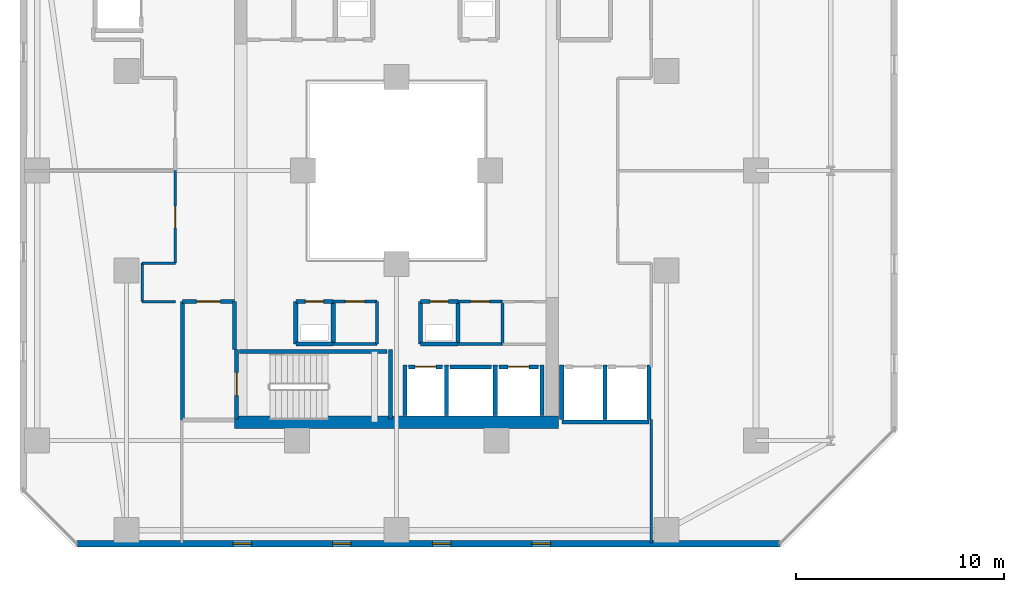
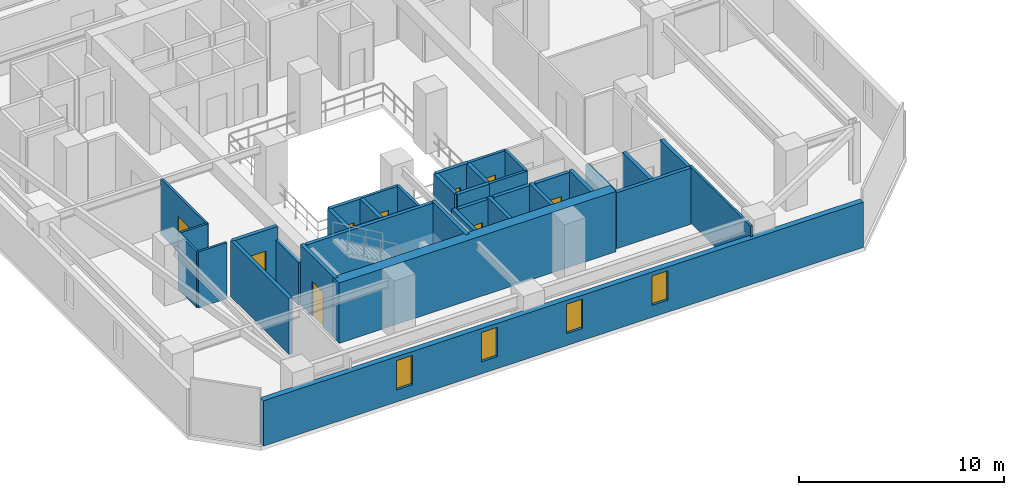
# One storey, part 16 of 29: 38 walls, 9 doors, 4 windows, 13 openings.
"""IFC4 building model written with IfcOpenShell, lengths in metres."""

from ifc_helpers import new_model, si_unit, direction, frame, frame_2d, origin, place, context, subcontext, project, spatial, rectangle, extrude, material, layer, layer_set, type_object, element, fill, save


model = new_model("IFC4")

# Units and contexts
model_context = context("Model", 3, precision=1e-05, world=origin(), true_north=direction((0.0, 1.0)))
body_context = subcontext(model_context, "Body", "Model", "MODEL_VIEW")
ifc_project = project(units=[si_unit("LENGTHUNIT", "METRE"), si_unit("AREAUNIT", "SQUARE_METRE"), si_unit("VOLUMEUNIT", "CUBIC_METRE"), si_unit("PLANEANGLEUNIT", "RADIAN"), si_unit("MASSUNIT", "GRAM", prefix="KILO")], contexts=[model_context])

# Site, building, storey
site_placement = place(None, origin())
site = spatial("IfcSite", under=ifc_project, at=site_placement, CompositionType="ELEMENT")
building_placement = place(site_placement, origin())
building = spatial("IfcBuilding", under=site, at=building_placement, Name="Thornwick Lancets Civic Towers", CompositionType="ELEMENT")
storey_placement = place(building_placement, frame((0.0, 0.0, 83.699951171875)))
storey = spatial("IfcBuildingStorey", under=building, at=storey_placement, Name="L21", CompositionType="ELEMENT", Elevation=83.699951171875)

# Wall, opening, door
ifc_material_1 = material(Name="Concrete blockwork C40/50", Category="masonry")
ifc_layer_1 = layer(ifc_material_1, 0.199951171875, Name="Concrete blockwork C40/50")
ifc_layer_set_1 = layer_set([ifc_layer_1], Name="Concrete blockwork C40/50")
wall_type_1 = type_object("IfcWallType", Name="WALL_COMP_200", PredefinedType="STANDARD", material=ifc_layer_set_1)
wall_1_placement = place(storey_placement, frame((26.080078125, 17.550048828125, 0.0), z_axis=(0.0, 0.0, 1.0), x_axis=(1.0, 0.0, 0.0)))
wall_1 = element("IfcWall", 1, at=wall_1_placement, inside=storey, type_object=wall_type_1, Name="L21 Hoistway Front Wall FL-A1", PredefinedType="STANDARD", context=body_context, shape_type="SweptSolid", body=[
    extrude(rectangle(XDim=1.639892578125, YDim=0.199951171875, at=frame_2d((0.81982421875, 0.0))), origin(), (0.0, 0.0, 1.0), 3.340087890625),
])
opening_1_placement = place(wall_1_placement, frame((0.31005859375, 0.0, 0.0)))
opening_1 = element("IfcOpeningElement", 2, at=opening_1_placement, cuts=wall_1, Name="Opening LD-FL-A1", PredefinedType="OPENING", context=body_context, shape_type="SweptSolid", body=[
    extrude(rectangle(XDim=1.02001953125, YDim=2.06005859375, at=frame_2d((0.510009765625, 1.030029296875))), frame((0.0, 0.10986328125, 0.0), z_axis=(0.0, -1.0, 0.0), x_axis=(1.0, 0.0, 0.0)), (0.0, 0.0, 1.0), 0.219970703125),
])
ifc_material_2 = material(Name="Brushed bronze stainless steel", Category="steel")
door_type_1 = type_object("IfcDoorType", Name="DOOR_LIFT_SLIDE", OperationType="SLIDING_TO_LEFT", PredefinedType="DOOR", material=ifc_material_2)
door_1_placement = place(opening_1_placement, origin())
door_1 = element("IfcDoor", 3, at=door_1_placement, inside=storey, type_object=door_type_1, Name="L21 Sliding Lift Landing Door LD-FL-A1", OperationType="SLIDING_TO_LEFT", OverallHeight=2.06005859375, OverallWidth=1.02001953125, PredefinedType="DOOR", context=body_context, shape_type="SweptSolid", body=[
    extrude(rectangle(XDim=1.02001953125, YDim=2.06005859375, at=frame_2d((0.510009765625, 1.030029296875))), frame((0.0, 0.02490234375, 0.0), z_axis=(0.0, -1.0, 0.0), x_axis=(1.0, 0.0, 0.0)), (0.0, 0.0, 1.0), 0.050048828125),
])
fill(opening_1, door_1)

# Wall
wall_2_placement = place(storey_placement, frame((28.080078125, 17.550048828125, 0.0), z_axis=(0.0, 0.0, 1.0), x_axis=(1.0, 0.0, 0.0)))
element("IfcWall", 4, at=wall_2_placement, inside=storey, type_object=wall_type_1, Name="L21 Hoistway Front Wall PL-AH1", PredefinedType="STANDARD", context=body_context, shape_type="SweptSolid", body=[
    extrude(rectangle(XDim=1.989990234375, YDim=0.199951171875, at=frame_2d((0.9951171875, 0.0))), origin(), (0.0, 0.0, 1.0), 3.340087890625),
])

# Wall, opening, door
wall_3_placement = place(storey_placement, frame((30.429931640625, 17.550048828125, 0.0), z_axis=(0.0, 0.0, 1.0), x_axis=(1.0, 0.0, 0.0)))
wall_3 = element("IfcWall", 5, at=wall_3_placement, inside=storey, type_object=wall_type_1, Name="L21 Hoistway Front Wall PL-AL1", PredefinedType="STANDARD", context=body_context, shape_type="SweptSolid", body=[
    extrude(rectangle(XDim=1.89013671875, YDim=0.199951171875, at=frame_2d((0.945068359375, 0.0))), origin(), (0.0, 0.0, 1.0), 3.340087890625),
])
opening_2_placement = place(wall_3_placement, frame((0.43505859375, 0.0, 0.0)))
opening_2 = element("IfcOpeningElement", 6, at=opening_2_placement, cuts=wall_3, Name="Opening LD-PL-AL1", PredefinedType="OPENING", context=body_context, shape_type="SweptSolid", body=[
    extrude(rectangle(XDim=1.02001953125, YDim=2.06005859375, at=frame_2d((0.510009765625, 1.030029296875))), frame((0.0, 0.10986328125, 0.0), z_axis=(0.0, -1.0, 0.0), x_axis=(1.0, 0.0, 0.0)), (0.0, 0.0, 1.0), 0.219970703125),
])
door_2_placement = place(opening_2_placement, origin())
door_2 = element("IfcDoor", 7, at=door_2_placement, inside=storey, type_object=door_type_1, Name="L21 Sliding Lift Landing Door LD-PL-AL1", OperationType="SLIDING_TO_LEFT", OverallHeight=2.06005859375, OverallWidth=1.02001953125, PredefinedType="DOOR", context=body_context, shape_type="SweptSolid", body=[
    extrude(rectangle(XDim=1.02001953125, YDim=2.06005859375, at=frame_2d((0.510009765625, 1.030029296875))), frame((0.0, 0.02490234375, 0.0), z_axis=(0.0, -1.0, 0.0), x_axis=(1.0, 0.0, 0.0)), (0.0, 0.0, 1.0), 0.050048828125),
])
fill(opening_2, door_2)

# Walls
for number, where, z_axis, x_axis, name in (
    (8, (27.89990234375, 15.2119140625, 0.0), (0.0, 0.0, 1.0), (0.0, 1.0, 0.0), "L21 Hoistway Shaft Wall FL-A1 E"),
    (9, (25.89990234375, 15.2119140625, 0.0), (0.0, 0.0, 1.0), (0.0, 1.0, 0.0), "L21 Hoistway Shaft Wall FL-A1 W"),
    (10, (30.25, 15.2119140625, 0.0), (0.0, 0.0, 1.0), (0.0, 1.0, 0.0), "L21 Hoistway Shaft Wall PL-AH1 E"),
    (11, (32.5, 15.2119140625, 0.0), (0.0, 0.0, 1.0), (0.0, 1.0, 0.0), "L21 Hoistway Shaft Wall PL-AL1 E"),
):
    element("IfcWall", number, at=place(storey_placement, frame(where, z_axis=z_axis, x_axis=x_axis)), inside=storey, type_object=wall_type_1, Name=name, PredefinedType="STANDARD", context=body_context, shape_type="SweptSolid", body=[
        extrude(rectangle(XDim=2.43603515625, YDim=0.199951171875, at=frame_2d((1.218017578125, 0.0))), origin(), (0.0, 0.0, 1.0), 3.340087890625),
    ])
wall_4_placement = place(storey_placement, frame((33.451904296875, 14.89990234375, 0.0), z_axis=(0.0, 0.0, 1.0), x_axis=(1.0, 0.0, 0.0)))
element("IfcWall", 12, at=wall_4_placement, inside=storey, type_object=wall_type_1, Name="L21 Hoistway Shaft Wall PL-AL2 S", PredefinedType="STANDARD", context=body_context, shape_type="SweptSolid", body=[
    extrude(rectangle(XDim=4.196044921875, YDim=0.199951171875, at=frame_2d((2.09814453125, 0.0))), origin(), (0.0, 0.0, 1.0), 3.340087890625),
])
for number, where, z_axis, x_axis, name in (
    (13, (35.52490234375, 15.011962890625, 0.0), (0.0, 0.0, 1.0), (0.0, 1.0, 0.0), "L21 Hoistway Shaft Wall PL-AL2 E"),
    (14, (33.449951171875, 15.011962890625, 0.0), (0.0, 0.0, 1.0), (0.0, 1.0, 0.0), "L21 Hoistway Shaft Wall PL-AL2 W"),
    (15, (37.64990234375, 15.011962890625, 0.0), (0.0, 0.0, 1.0), (0.0, 1.0, 0.0), "L21 Hoistway Shaft Wall PL-AL3 E"),
):
    element("IfcWall", number, at=place(storey_placement, frame(where, z_axis=z_axis, x_axis=x_axis)), inside=storey, type_object=wall_type_1, Name=name, PredefinedType="STANDARD", context=body_context, shape_type="SweptSolid", body=[
        extrude(rectangle(XDim=2.635986328125, YDim=0.199951171875, at=frame_2d((1.31787109375, 0.0))), origin(), (0.0, 0.0, 1.0), 3.340087890625),
    ])
wall_5_placement = place(storey_placement, frame((17.699951171875, 18.39990234375, 0.0), z_axis=(0.0, 0.0, 1.0), x_axis=(0.0, 1.0, 0.0)))
element("IfcWall", 16, at=wall_5_placement, inside=storey, type_object=wall_type_1, Name="L21 Partition L21-A-FFLOB1 E2", PredefinedType="STANDARD", context=body_context, shape_type="SweptSolid", body=[
    extrude(rectangle(XDim=2.300048828125, YDim=0.199951171875, at=frame_2d((1.14990234375, 0.0))), origin(), (0.0, 0.0, 1.0), 2.545166015625),
])

# Wall, opening, door
wall_6_placement = place(storey_placement, frame((17.699951171875, 20.699951171875, 0.0), z_axis=(0.0, 0.0, 1.0), x_axis=(-1.0, 0.0, 0.0)))
wall_6 = element("IfcWall", 17, at=wall_6_placement, inside=storey, type_object=wall_type_1, Name="L21 Partition L21-A-FFLOB1 E3", PredefinedType="STANDARD", context=body_context, shape_type="SweptSolid", body=[
    extrude(rectangle(XDim=2.5, YDim=0.199951171875, at=frame_2d((1.25, 0.0))), origin(), (0.0, 0.0, 1.0), 3.340087890625),
])
opening_3_placement = place(wall_6_placement, frame((0.675048828125, 0.0, 0.0)))
opening_3 = element("IfcOpeningElement", 18, at=opening_3_placement, cuts=wall_6, Name="Opening D-L21-0969", PredefinedType="OPENING", context=body_context, shape_type="SweptSolid", body=[
    extrude(rectangle(XDim=1.14990234375, YDim=2.10009765625, at=frame_2d((0.574951171875, 1.050048828125))), frame((0.0, 0.10986328125, 0.0), z_axis=(0.0, -1.0, 0.0), x_axis=(1.0, 0.0, 0.0)), (0.0, 0.0, 1.0), 0.219970703125),
])
ifc_material_3 = material(Name="Glazed fire-resisting steel", Category="steel")
door_type_2 = type_object("IfcDoorType", Name="DOOR_LOBBY_FD60", OperationType="NOTDEFINED", PredefinedType="DOOR", material=ifc_material_3)
door_3_placement = place(opening_3_placement, origin())
door_3 = element("IfcDoor", 19, at=door_3_placement, inside=storey, type_object=door_type_2, Name="L21 South Firefighting Lobby 1 Door", OperationType="SINGLE_SWING_RIGHT", OverallHeight=2.10009765625, OverallWidth=1.14990234375, PredefinedType="DOOR", context=body_context, shape_type="SweptSolid", body=[
    extrude(rectangle(XDim=1.14990234375, YDim=2.10009765625, at=frame_2d((0.574951171875, 1.050048828125))), frame((0.0, 0.02490234375, 0.0), z_axis=(0.0, -1.0, 0.0), x_axis=(1.0, 0.0, 0.0)), (0.0, 0.0, 1.0), 0.050048828125),
])
fill(opening_3, door_3)

# Walls
wall_7_placement = place(storey_placement, frame((15.199951171875, 20.699951171875, 0.0), z_axis=(0.0, 0.0, 1.0), x_axis=(0.0, -1.0, 0.0)))
element("IfcWall", 20, at=wall_7_placement, inside=storey, type_object=wall_type_1, Name="L21 Partition L21-A-FFLOB1 E4", PredefinedType="STANDARD", context=body_context, shape_type="SweptSolid", body=[
    extrude(rectangle(XDim=5.699951171875, YDim=0.199951171875, at=frame_2d((2.85009765625, 0.0))), origin(), (0.0, 0.0, 1.0), 3.340087890625),
])
wall_8_placement = place(storey_placement, frame((26.64990234375, 18.64990234375, 0.0), z_axis=(0.0, 0.0, 1.0), x_axis=(1.0, 0.0, 0.0)))
element("IfcWall", 21, at=wall_8_placement, inside=storey, type_object=wall_type_1, Name="L21 Partition L21-A-DUCT1 E1", PredefinedType="STANDARD", context=body_context, shape_type="SweptSolid", body=[
    extrude(rectangle(XDim=1.800048828125, YDim=0.199951171875, at=frame_2d((0.89990234375, 0.0))), origin(), (0.0, 0.0, 1.0), 3.340087890625),
])
wall_9_placement = place(storey_placement, frame((28.449951171875, 18.64990234375, 0.0), z_axis=(0.0, 0.0, 1.0), x_axis=(0.0, 1.0, 0.0)))
element("IfcWall", 22, at=wall_9_placement, inside=storey, type_object=wall_type_1, Name="L21 Partition L21-A-DUCT1 E2", PredefinedType="STANDARD", context=body_context, shape_type="SweptSolid", body=[
    extrude(rectangle(XDim=2.050048828125, YDim=0.199951171875, at=frame_2d((1.02490234375, 0.0))), origin(), (0.0, 0.0, 1.0), 3.340087890625),
])

# Wall, opening, door
wall_10_placement = place(storey_placement, frame((28.449951171875, 20.699951171875, 0.0), z_axis=(0.0, 0.0, 1.0), x_axis=(-1.0, 0.0, 0.0)))
wall_10 = element("IfcWall", 23, at=wall_10_placement, inside=storey, type_object=wall_type_1, Name="L21 Partition L21-A-DUCT1 E3", PredefinedType="STANDARD", context=body_context, shape_type="SweptSolid", body=[
    extrude(rectangle(XDim=1.800048828125, YDim=0.199951171875, at=frame_2d((0.89990234375, 0.0))), origin(), (0.0, 0.0, 1.0), 3.340087890625),
])
opening_4_placement = place(wall_10_placement, frame((0.4599609375, 0.0, 0.0)))
opening_4 = element("IfcOpeningElement", 24, at=opening_4_placement, cuts=wall_10, Name="Opening D-L21-0971", PredefinedType="OPENING", context=body_context, shape_type="SweptSolid", body=[
    extrude(rectangle(XDim=0.8798828125, YDim=2.0400390625, at=frame_2d((0.43994140625, 1.02001953125))), frame((0.0, 0.10986328125, 0.0), z_axis=(0.0, -1.0, 0.0), x_axis=(1.0, 0.0, 0.0)), (0.0, 0.0, 1.0), 0.219970703125),
])
ifc_material_4 = material(Name="Steel riser access doorset", Category="steel")
door_type_3 = type_object("IfcDoorType", Name="DOOR_RISER_850", OperationType="NOTDEFINED", PredefinedType="DOOR", material=ifc_material_4)
door_4_placement = place(opening_4_placement, origin())
door_4 = element("IfcDoor", 25, at=door_4_placement, inside=storey, type_object=door_type_3, Name="L21 South Service Duct 1 Door", OperationType="SINGLE_SWING_RIGHT", OverallHeight=2.0400390625, OverallWidth=0.8798828125, PredefinedType="DOOR", context=body_context, shape_type="SweptSolid", body=[
    extrude(rectangle(XDim=0.8798828125, YDim=2.0400390625, at=frame_2d((0.43994140625, 1.02001953125))), frame((0.0, 0.02490234375, 0.0), z_axis=(0.0, -1.0, 0.0), x_axis=(1.0, 0.0, 0.0)), (0.0, 0.0, 1.0), 0.050048828125),
])
fill(opening_4, door_4)

# Walls
wall_11_placement = place(storey_placement, frame((26.64990234375, 20.699951171875, 0.0), z_axis=(0.0, 0.0, 1.0), x_axis=(0.0, -1.0, 0.0)))
element("IfcWall", 26, at=wall_11_placement, inside=storey, type_object=wall_type_1, Name="L21 Partition L21-A-DUCT1 E4", PredefinedType="STANDARD", context=body_context, shape_type="SweptSolid", body=[
    extrude(rectangle(XDim=2.050048828125, YDim=0.199951171875, at=frame_2d((1.02490234375, 0.0))), origin(), (0.0, 0.0, 1.0), 3.340087890625),
])
wall_12_placement = place(storey_placement, frame((20.64990234375, 18.64990234375, 0.0), z_axis=(0.0, 0.0, 1.0), x_axis=(1.0, 0.0, 0.0)))
element("IfcWall", 27, at=wall_12_placement, inside=storey, type_object=wall_type_1, Name="L21 Partition L21-A-RISER1 E1", PredefinedType="STANDARD", context=body_context, shape_type="SweptSolid", body=[
    extrude(rectangle(XDim=1.800048828125, YDim=0.199951171875, at=frame_2d((0.89990234375, 0.0))), origin(), (0.0, 0.0, 1.0), 3.340087890625),
])
wall_13_placement = place(storey_placement, frame((22.449951171875, 18.64990234375, 0.0), z_axis=(0.0, 0.0, 1.0), x_axis=(0.0, 1.0, 0.0)))
element("IfcWall", 28, at=wall_13_placement, inside=storey, type_object=wall_type_1, Name="L21 Partition L21-A-RISER1 E2", PredefinedType="STANDARD", context=body_context, shape_type="SweptSolid", body=[
    extrude(rectangle(XDim=2.050048828125, YDim=0.199951171875, at=frame_2d((1.02490234375, 0.0))), origin(), (0.0, 0.0, 1.0), 3.340087890625),
])

# Wall, opening, door
wall_14_placement = place(storey_placement, frame((22.449951171875, 20.699951171875, 0.0), z_axis=(0.0, 0.0, 1.0), x_axis=(-1.0, 0.0, 0.0)))
wall_14 = element("IfcWall", 29, at=wall_14_placement, inside=storey, type_object=wall_type_1, Name="L21 Partition L21-A-RISER1 E3", PredefinedType="STANDARD", context=body_context, shape_type="SweptSolid", body=[
    extrude(rectangle(XDim=1.800048828125, YDim=0.199951171875, at=frame_2d((0.89990234375, 0.0))), origin(), (0.0, 0.0, 1.0), 3.340087890625),
])
opening_5_placement = place(wall_14_placement, frame((0.4599609375, 0.0, 0.0)))
opening_5 = element("IfcOpeningElement", 30, at=opening_5_placement, cuts=wall_14, Name="Opening D-L21-0972", PredefinedType="OPENING", context=body_context, shape_type="SweptSolid", body=[
    extrude(rectangle(XDim=0.8798828125, YDim=2.0400390625, at=frame_2d((0.43994140625, 1.02001953125))), frame((0.0, 0.10986328125, 0.0), z_axis=(0.0, -1.0, 0.0), x_axis=(1.0, 0.0, 0.0)), (0.0, 0.0, 1.0), 0.219970703125),
])
door_5_placement = place(opening_5_placement, origin())
door_5 = element("IfcDoor", 31, at=door_5_placement, inside=storey, type_object=door_type_3, Name="L21 South Electrical Riser 1 Door", OperationType="SINGLE_SWING_LEFT", OverallHeight=2.0400390625, OverallWidth=0.8798828125, PredefinedType="DOOR", context=body_context, shape_type="SweptSolid", body=[
    extrude(rectangle(XDim=0.8798828125, YDim=2.0400390625, at=frame_2d((0.43994140625, 1.02001953125))), frame((0.0, 0.02490234375, 0.0), z_axis=(0.0, -1.0, 0.0), x_axis=(1.0, 0.0, 0.0)), (0.0, 0.0, 1.0), 0.050048828125),
])
fill(opening_5, door_5)

# Walls
wall_15_placement = place(storey_placement, frame((20.64990234375, 20.699951171875, 0.0), z_axis=(0.0, 0.0, 1.0), x_axis=(0.0, -1.0, 0.0)))
element("IfcWall", 32, at=wall_15_placement, inside=storey, type_object=wall_type_1, Name="L21 Partition L21-A-RISER1 E4", PredefinedType="STANDARD", context=body_context, shape_type="SweptSolid", body=[
    extrude(rectangle(XDim=2.050048828125, YDim=0.199951171875, at=frame_2d((1.02490234375, 0.0))), origin(), (0.0, 0.0, 1.0), 3.340087890625),
])
ifc_material_5 = material(Name="Concrete C60/75", Category="concrete")
ifc_layer_2 = layer(ifc_material_5, 0.60009765625, Name="Concrete C60/75")
ifc_layer_set_2 = layer_set([ifc_layer_2], Name="Concrete C60/75")
wall_type_2 = type_object("IfcWallType", Name="WALL_CORE_600", PredefinedType="SHEAR", material=ifc_layer_set_2)
wall_16_placement = place(storey_placement, frame((17.699951171875, 14.89990234375, 0.0), z_axis=(0.0, 0.0, 1.0), x_axis=(1.0, 0.0, 0.0)))
element("IfcWall", 33, at=wall_16_placement, inside=storey, type_object=wall_type_2, Name="L21 Split Core A1 Shear Wall S", PredefinedType="SHEAR", context=body_context, shape_type="SweptSolid", body=[
    extrude(rectangle(XDim=15.60009765625, YDim=0.60009765625, at=frame_2d((7.800048828125, 0.0))), origin(), (0.0, 0.0, 1.0), 3.60009765625),
])

# Wall, openings, windows
ifc_material_6 = material(Name="Insulated buff terracotta rainscreen on concrete C40/50", Category="masonry")
ifc_layer_3 = layer(ifc_material_6, 0.320068359375, Name="Insulated buff terracotta rainscreen on concrete C40/50")
ifc_layer_set_3 = layer_set([ifc_layer_3], Name="Insulated buff terracotta rainscreen on concrete C40/50")
wall_type_3 = type_object("IfcWallType", Name="WALL_EXT_TERRA_320", PredefinedType="STANDARD", material=ifc_layer_set_3)
wall_17_placement = place(storey_placement, frame((10.11865234375, 9.035400390625, 0.0), z_axis=(0.0, 0.0, 1.0), x_axis=(0.999999960392, 0.000281454314, 0.0)))
wall_17 = element("IfcWall", 34, at=wall_17_placement, inside=storey, type_object=wall_type_3, Name="L21 Tower A Terracotta Facade Wall E0", PredefinedType="STANDARD", context=body_context, shape_type="SweptSolid", body=[
    extrude(rectangle(XDim=33.82958984375, YDim=0.320068359375, at=frame_2d((16.914794921875, 0.0))), origin(), (0.0, 0.0, 1.0), 2.699951171875),
])
opening_6_placement = place(wall_17_placement, frame((7.5, 0.0, 0.719970703125)))
opening_6 = element("IfcOpeningElement", 35, at=opening_6_placement, cuts=wall_17, Name="Opening WL-01", PredefinedType="OPENING", context=body_context, shape_type="SweptSolid", body=[
    extrude(rectangle(XDim=0.89990234375, YDim=1.75, at=frame_2d((0.449951171875, 0.875))), frame((0.0, 0.169921875, 0.0), z_axis=(0.0, -1.0, 0.0), x_axis=(1.0, 0.0, 0.0)), (0.0, 0.0, 1.0), 0.340087890625),
])
opening_7_placement = place(wall_17_placement, frame((12.300048828125, 0.0, 0.719970703125)))
opening_7 = element("IfcOpeningElement", 36, at=opening_7_placement, cuts=wall_17, Name="Opening WL-01", PredefinedType="OPENING", context=body_context, shape_type="SweptSolid", body=[
    extrude(rectangle(XDim=0.89990234375, YDim=1.75, at=frame_2d((0.449951171875, 0.875))), frame((0.0, 0.169921875, 0.0), z_axis=(0.0, -1.0, 0.0), x_axis=(1.0, 0.0, 0.0)), (0.0, 0.0, 1.0), 0.340087890625),
])
opening_8_placement = place(wall_17_placement, frame((17.10009765625, 0.0, 0.719970703125)))
opening_8 = element("IfcOpeningElement", 37, at=opening_8_placement, cuts=wall_17, Name="Opening WL-01", PredefinedType="OPENING", context=body_context, shape_type="SweptSolid", body=[
    extrude(rectangle(XDim=0.89990234375, YDim=1.75, at=frame_2d((0.449951171875, 0.875))), frame((0.0, 0.169921875, 0.0), z_axis=(0.0, -1.0, 0.0), x_axis=(1.0, 0.0, 0.0)), (0.0, 0.0, 1.0), 0.340087890625),
])
opening_9_placement = place(wall_17_placement, frame((21.89990234375, 0.0, 0.719970703125)))
opening_9 = element("IfcOpeningElement", 38, at=opening_9_placement, cuts=wall_17, Name="Opening WL-01", PredefinedType="OPENING", context=body_context, shape_type="SweptSolid", body=[
    extrude(rectangle(XDim=0.89990234375, YDim=1.75, at=frame_2d((0.449951171875, 0.875))), frame((0.0, 0.169921875, 0.0), z_axis=(0.0, -1.0, 0.0), x_axis=(1.0, 0.0, 0.0)), (0.0, 0.0, 1.0), 0.340087890625),
])
ifc_material_7 = material(Name="Clear low-e double glazing in bronze frame", Category="glass")
window_type = type_object("IfcWindowType", Name="WIN_LANCET_900", PartitioningType="SINGLE_PANEL", PredefinedType="WINDOW", material=ifc_material_7)
window_1_placement = place(opening_6_placement, origin())
window_1 = element("IfcWindow", 39, at=window_1_placement, inside=storey, type_object=window_type, Name="L21 Tower A Staggered Lancet Window E0-1", OverallHeight=1.75, OverallWidth=0.89990234375, PartitioningType="SINGLE_PANEL", PredefinedType="WINDOW", context=body_context, shape_type="SweptSolid", body=[
    extrude(rectangle(XDim=0.89990234375, YDim=1.75, at=frame_2d((0.449951171875, 0.875))), frame((0.0, 0.030029296875, 0.0), z_axis=(0.0, -1.0, 0.0), x_axis=(1.0, 0.0, 0.0)), (0.0, 0.0, 1.0), 0.06005859375),
])
fill(opening_6, window_1)
window_2_placement = place(opening_7_placement, origin())
window_2 = element("IfcWindow", 40, at=window_2_placement, inside=storey, type_object=window_type, Name="L21 Tower A Staggered Lancet Window E0-2", OverallHeight=1.75, OverallWidth=0.89990234375, PartitioningType="SINGLE_PANEL", PredefinedType="WINDOW", context=body_context, shape_type="SweptSolid", body=[
    extrude(rectangle(XDim=0.89990234375, YDim=1.75, at=frame_2d((0.449951171875, 0.875))), frame((0.0, 0.030029296875, 0.0), z_axis=(0.0, -1.0, 0.0), x_axis=(1.0, 0.0, 0.0)), (0.0, 0.0, 1.0), 0.06005859375),
])
fill(opening_7, window_2)
window_3_placement = place(opening_8_placement, origin())
window_3 = element("IfcWindow", 41, at=window_3_placement, inside=storey, type_object=window_type, Name="L21 Tower A Staggered Lancet Window E0-3", OverallHeight=1.75, OverallWidth=0.89990234375, PartitioningType="SINGLE_PANEL", PredefinedType="WINDOW", context=body_context, shape_type="SweptSolid", body=[
    extrude(rectangle(XDim=0.89990234375, YDim=1.75, at=frame_2d((0.449951171875, 0.875))), frame((0.0, 0.030029296875, 0.0), z_axis=(0.0, -1.0, 0.0), x_axis=(1.0, 0.0, 0.0)), (0.0, 0.0, 1.0), 0.06005859375),
])
fill(opening_8, window_3)
window_4_placement = place(opening_9_placement, origin())
window_4 = element("IfcWindow", 42, at=window_4_placement, inside=storey, type_object=window_type, Name="L21 Tower A Staggered Lancet Window E0-4", OverallHeight=1.75, OverallWidth=0.89990234375, PartitioningType="SINGLE_PANEL", PredefinedType="WINDOW", context=body_context, shape_type="SweptSolid", body=[
    extrude(rectangle(XDim=0.89990234375, YDim=1.75, at=frame_2d((0.449951171875, 0.875))), frame((0.0, 0.030029296875, 0.0), z_axis=(0.0, -1.0, 0.0), x_axis=(1.0, 0.0, 0.0)), (0.0, 0.0, 1.0), 0.06005859375),
])
fill(opening_9, window_4)

# Wall, opening, door
ifc_material_8 = material(Name="Acoustic gypsum board partition")
ifc_layer_4 = layer(ifc_material_8, 0.1201171875, Name="Acoustic gypsum board partition")
ifc_layer_set_4 = layer_set([ifc_layer_4], Name="Acoustic gypsum board partition")
wall_type_4 = type_object("IfcWallType", Name="WALL_PART_120", PredefinedType="PARTITIONING", material=ifc_layer_set_4)
wall_18_placement = place(storey_placement, frame((14.85009765625, 27.0, 0.0), z_axis=(0.0, 0.0, 1.0), x_axis=(0.0, -1.0, 0.0)))
wall_18 = element("IfcWall", 43, at=wall_18_placement, inside=storey, type_object=wall_type_4, Name="L21 Partition L21-A-W1 E3", PredefinedType="PARTITIONING", context=body_context, shape_type="SweptSolid", body=[
    extrude(rectangle(XDim=4.449951171875, YDim=0.1201171875, at=frame_2d((2.22509765625, 0.0))), origin(), (0.0, 0.0, 1.0), 3.340087890625),
])
opening_10_placement = place(wall_18_placement, frame((1.699951171875, 0.0, 0.0)))
opening_10 = element("IfcOpeningElement", 44, at=opening_10_placement, cuts=wall_18, Name="Opening D-L21-0991", PredefinedType="OPENING", context=body_context, shape_type="SweptSolid", body=[
    extrude(rectangle(XDim=1.050048828125, YDim=2.10009765625, at=frame_2d((0.52490234375, 1.050048828125))), frame((0.0, 0.070068359375, 0.0), z_axis=(0.0, -1.0, 0.0), x_axis=(1.0, 0.0, 0.0)), (0.0, 0.0, 1.0), 0.14013671875),
])
ifc_material_9 = material(Name="Glazed European oak executive doorset")
door_type_4 = type_object("IfcDoorType", Name="DOOR_OFFICE_1050", OperationType="NOTDEFINED", PredefinedType="DOOR", material=ifc_material_9)
door_6_placement = place(opening_10_placement, origin())
door_6 = element("IfcDoor", 45, at=door_6_placement, inside=storey, type_object=door_type_4, Name="L21 Tower A Ministry Directorate Office W1 Door", OperationType="SINGLE_SWING_RIGHT", OverallHeight=2.10009765625, OverallWidth=1.050048828125, PredefinedType="DOOR", context=body_context, shape_type="SweptSolid", body=[
    extrude(rectangle(XDim=1.050048828125, YDim=2.10009765625, at=frame_2d((0.52490234375, 1.050048828125))), frame((0.0, 0.02490234375, 0.0), z_axis=(0.0, -1.0, 0.0), x_axis=(1.0, 0.0, 0.0)), (0.0, 0.0, 1.0), 0.050048828125),
])
fill(opening_10, door_6)

# Walls
wall_19_placement = place(storey_placement, frame((14.85009765625, 22.550048828125, 0.0), z_axis=(0.0, 0.0, 1.0), x_axis=(-1.0, 0.0, 0.0)))
element("IfcWall", 46, at=wall_19_placement, inside=storey, type_object=wall_type_4, Name="L21 Partition L21-A-W1 E4", PredefinedType="PARTITIONING", context=body_context, shape_type="SweptSolid", body=[
    extrude(rectangle(XDim=1.60009765625, YDim=0.1201171875, at=frame_2d((0.800048828125, 0.0))), origin(), (0.0, 0.0, 1.0), 3.340087890625),
])
wall_20_placement = place(storey_placement, frame((13.25, 22.550048828125, 0.0), z_axis=(0.0, 0.0, 1.0), x_axis=(0.0, -1.0, 0.0)))
element("IfcWall", 47, at=wall_20_placement, inside=storey, type_object=wall_type_4, Name="L21 Partition L21-A-W1 E5", PredefinedType="PARTITIONING", context=body_context, shape_type="SweptSolid", body=[
    extrude(rectangle(XDim=1.85009765625, YDim=0.1201171875, at=frame_2d((0.925048828125, 0.0))), origin(), (0.0, 0.0, 1.0), 3.340087890625),
])
wall_21_placement = place(storey_placement, frame((13.25, 20.699951171875, 0.0), z_axis=(0.0, 0.0, 1.0), x_axis=(1.0, 0.0, 0.0)))
element("IfcWall", 48, at=wall_21_placement, inside=storey, type_object=wall_type_4, Name="L21 Partition L21-A-W1 E6", PredefinedType="PARTITIONING", context=body_context, shape_type="SweptSolid", body=[
    extrude(rectangle(XDim=1.60009765625, YDim=0.1201171875, at=frame_2d((0.800048828125, 0.0))), origin(), (0.0, 0.0, 1.0), 3.340087890625),
])
wall_22_placement = place(storey_placement, frame((37.75, 9.080078125, 0.0), z_axis=(0.0, 0.0, 1.0), x_axis=(0.0, 1.0, 0.0)))
element("IfcWall", 49, at=wall_22_placement, inside=storey, type_object=wall_type_4, Name="L21 Partition L21-A-E1 E9", PredefinedType="PARTITIONING", context=body_context, shape_type="SweptSolid", body=[
    extrude(rectangle(XDim=5.931884765625, YDim=0.1201171875, at=frame_2d((2.9658203125, 0.0))), origin(), (0.0, 0.0, 1.0), 3.340087890625),
])
ifc_material_10 = material(Name="Twin-stud acoustic gypsum board")
ifc_layer_5 = layer(ifc_material_10, 0.14990234375, Name="Twin-stud acoustic gypsum board")
ifc_layer_set_5 = layer_set([ifc_layer_5], Name="Twin-stud acoustic gypsum board")
wall_type_5 = type_object("IfcWallType", Name="WALL_PART_150", PredefinedType="PARTITIONING", material=ifc_layer_set_5)
wall_23_placement = place(storey_placement, frame((24.550048828125, 20.699951171875, 0.0), z_axis=(0.0, 0.0, 1.0), x_axis=(0.0, -1.0, 0.0)))
element("IfcWall", 50, at=wall_23_placement, inside=storey, type_object=wall_type_5, Name="L21 Partition L21-A-MWC E1", PredefinedType="PARTITIONING", context=body_context, shape_type="SweptSolid", body=[
    extrude(rectangle(XDim=2.050048828125, YDim=0.14990234375, at=frame_2d((1.02490234375, 0.0))), origin(), (0.0, 0.0, 1.0), 3.340087890625),
])
wall_24_placement = place(storey_placement, frame((24.550048828125, 18.64990234375, 0.0), z_axis=(0.0, 0.0, 1.0), x_axis=(-1.0, 0.0, 0.0)))
element("IfcWall", 51, at=wall_24_placement, inside=storey, type_object=wall_type_5, Name="L21 Partition L21-A-MWC E2", PredefinedType="PARTITIONING", context=body_context, shape_type="SweptSolid", body=[
    extrude(rectangle(XDim=2.10009765625, YDim=0.14990234375, at=frame_2d((1.050048828125, 0.0))), origin(), (0.0, 0.0, 1.0), 3.340087890625),
])

# Wall, opening, door
wall_25_placement = place(storey_placement, frame((22.449951171875, 20.699951171875, 0.0), z_axis=(0.0, 0.0, 1.0), x_axis=(1.0, 0.0, 0.0)))
wall_25 = element("IfcWall", 52, at=wall_25_placement, inside=storey, type_object=wall_type_5, Name="L21 Partition L21-A-MWC E4", PredefinedType="PARTITIONING", context=body_context, shape_type="SweptSolid", body=[
    extrude(rectangle(XDim=2.10009765625, YDim=0.14990234375, at=frame_2d((1.050048828125, 0.0))), origin(), (0.0, 0.0, 1.0), 3.340087890625),
])
opening_11_placement = place(wall_25_placement, frame((0.590087890625, 0.0, 0.0)))
opening_11 = element("IfcOpeningElement", 53, at=opening_11_placement, cuts=wall_25, Name="Opening D-L21-0975", PredefinedType="OPENING", context=body_context, shape_type="SweptSolid", body=[
    extrude(rectangle(XDim=0.919921875, YDim=2.080078125, at=frame_2d((0.4599609375, 1.0400390625))), frame((0.0, 0.0849609375, 0.0), z_axis=(0.0, -1.0, 0.0), x_axis=(1.0, 0.0, 0.0)), (0.0, 0.0, 1.0), 0.169921875),
])
ifc_material_11 = material(Name="Moisture-resistant oak doorset")
door_type_5 = type_object("IfcDoorType", Name="DOOR_WC_900", OperationType="NOTDEFINED", PredefinedType="DOOR", material=ifc_material_11)
door_7_placement = place(opening_11_placement, origin())
door_7 = element("IfcDoor", 54, at=door_7_placement, inside=storey, type_object=door_type_5, Name="L21 Tower A Male WC Door", OperationType="SINGLE_SWING_RIGHT", OverallHeight=2.080078125, OverallWidth=0.919921875, PredefinedType="DOOR", context=body_context, shape_type="SweptSolid", body=[
    extrude(rectangle(XDim=0.919921875, YDim=2.080078125, at=frame_2d((0.4599609375, 1.0400390625))), frame((0.0, 0.02490234375, 0.0), z_axis=(0.0, -1.0, 0.0), x_axis=(1.0, 0.0, 0.0)), (0.0, 0.0, 1.0), 0.050048828125),
])
fill(opening_11, door_7)

# Walls
wall_26_placement = place(storey_placement, frame((30.60009765625, 20.699951171875, 0.0), z_axis=(0.0, 0.0, 1.0), x_axis=(0.0, -1.0, 0.0)))
element("IfcWall", 55, at=wall_26_placement, inside=storey, type_object=wall_type_5, Name="L21 Partition L21-A-FWC E1", PredefinedType="PARTITIONING", context=body_context, shape_type="SweptSolid", body=[
    extrude(rectangle(XDim=2.050048828125, YDim=0.14990234375, at=frame_2d((1.02490234375, 0.0))), origin(), (0.0, 0.0, 1.0), 3.340087890625),
])
wall_27_placement = place(storey_placement, frame((30.60009765625, 18.64990234375, 0.0), z_axis=(0.0, 0.0, 1.0), x_axis=(-1.0, 0.0, 0.0)))
element("IfcWall", 56, at=wall_27_placement, inside=storey, type_object=wall_type_5, Name="L21 Partition L21-A-FWC E2", PredefinedType="PARTITIONING", context=body_context, shape_type="SweptSolid", body=[
    extrude(rectangle(XDim=2.150146484375, YDim=0.14990234375, at=frame_2d((1.0751953125, 0.0))), origin(), (0.0, 0.0, 1.0), 3.340087890625),
])

# Wall, opening, door
wall_28_placement = place(storey_placement, frame((28.449951171875, 20.699951171875, 0.0), z_axis=(0.0, 0.0, 1.0), x_axis=(1.0, 0.0, 0.0)))
wall_28 = element("IfcWall", 57, at=wall_28_placement, inside=storey, type_object=wall_type_5, Name="L21 Partition L21-A-FWC E4", PredefinedType="PARTITIONING", context=body_context, shape_type="SweptSolid", body=[
    extrude(rectangle(XDim=2.150146484375, YDim=0.14990234375, at=frame_2d((1.0751953125, 0.0))), origin(), (0.0, 0.0, 1.0), 3.340087890625),
])
opening_12_placement = place(wall_28_placement, frame((0.614990234375, 0.0, 0.0)))
opening_12 = element("IfcOpeningElement", 58, at=opening_12_placement, cuts=wall_28, Name="Opening D-L21-0976", PredefinedType="OPENING", context=body_context, shape_type="SweptSolid", body=[
    extrude(rectangle(XDim=0.919921875, YDim=2.080078125, at=frame_2d((0.4599609375, 1.0400390625))), frame((0.0, 0.0849609375, 0.0), z_axis=(0.0, -1.0, 0.0), x_axis=(1.0, 0.0, 0.0)), (0.0, 0.0, 1.0), 0.169921875),
])
door_8_placement = place(opening_12_placement, origin())
door_8 = element("IfcDoor", 59, at=door_8_placement, inside=storey, type_object=door_type_5, Name="L21 Tower A Female WC Door", OperationType="SINGLE_SWING_LEFT", OverallHeight=2.080078125, OverallWidth=0.919921875, PredefinedType="DOOR", context=body_context, shape_type="SweptSolid", body=[
    extrude(rectangle(XDim=0.919921875, YDim=2.080078125, at=frame_2d((0.4599609375, 1.0400390625))), frame((0.0, 0.02490234375, 0.0), z_axis=(0.0, -1.0, 0.0), x_axis=(1.0, 0.0, 0.0)), (0.0, 0.0, 1.0), 0.050048828125),
])
fill(opening_12, door_8)

ifc_material_12 = material(Name="Concrete C40/50", Category="concrete")
ifc_layer_6 = layer(ifc_material_12, 0.199951171875, Name="Concrete C40/50")
ifc_layer_set_6 = layer_set([ifc_layer_6], Name="Concrete C40/50")
wall_type_6 = type_object("IfcWallType", Name="WALL_SHAFT_200", PredefinedType="SHEAR", material=ifc_layer_set_6)
wall_29_placement = place(storey_placement, frame((17.800048828125, 15.050048828125, 0.0), z_axis=(0.0, 0.0, 1.0), x_axis=(0.0, 1.0, 0.0)))
wall_29 = element("IfcWall", 60, at=wall_29_placement, inside=storey, type_object=wall_type_6, Name="L21 ST-A1 Fire Stair Core Wall NEAR", PredefinedType="SHEAR", context=body_context, shape_type="SweptSolid", body=[
    extrude(rectangle(XDim=3.349853515625, YDim=0.199951171875, at=frame_2d((1.6748046875, 0.0))), origin(), (0.0, 0.0, 1.0), 3.60009765625),
])
opening_13_placement = place(wall_29_placement, frame((1.125, 0.0, 0.0)))
opening_13 = element("IfcOpeningElement", 61, at=opening_13_placement, cuts=wall_29, Name="Opening D-ST-A1-L21", PredefinedType="OPENING", context=body_context, shape_type="SweptSolid", body=[
    extrude(rectangle(XDim=1.10009765625, YDim=2.10009765625, at=frame_2d((0.550048828125, 1.050048828125))), frame((0.0, 0.10986328125, 0.0), z_axis=(0.0, -1.0, 0.0), x_axis=(1.0, 0.0, 0.0)), (0.0, 0.0, 1.0), 0.219970703125),
])
ifc_material_13 = material(Name="Fire-resisting steel and hardwood", Category="steel")
door_type_6 = type_object("IfcDoorType", Name="DOOR_STAIR_FD60", OperationType="NOTDEFINED", PredefinedType="DOOR", material=ifc_material_13)
door_9_placement = place(opening_13_placement, origin())
door_9 = element("IfcDoor", 62, at=door_9_placement, inside=storey, type_object=door_type_6, Name="L21 ST-A1 Exit Stair Door", OperationType="SINGLE_SWING_RIGHT", OverallHeight=2.10009765625, OverallWidth=1.10009765625, PredefinedType="DOOR", context=body_context, shape_type="SweptSolid", body=[
    extrude(rectangle(XDim=1.10009765625, YDim=2.10009765625, at=frame_2d((0.550048828125, 1.050048828125))), frame((0.0, 0.02490234375, 0.0), z_axis=(0.0, -1.0, 0.0), x_axis=(1.0, 0.0, 0.0)), (0.0, 0.0, 1.0), 0.050048828125),
])
fill(opening_13, door_9)

# Walls
wall_30_placement = place(storey_placement, frame((25.199951171875, 18.39990234375, 0.0), z_axis=(0.0, 0.0, 1.0), x_axis=(0.0, -1.0, 0.0)))
element("IfcWall", 63, at=wall_30_placement, inside=storey, type_object=wall_type_6, Name="L21 ST-A1 Fire Stair Core Wall FAR", PredefinedType="SHEAR", context=body_context, shape_type="SweptSolid", body=[
    extrude(rectangle(XDim=3.349853515625, YDim=0.199951171875, at=frame_2d((1.6748046875, 0.0))), origin(), (0.0, 0.0, 1.0), 3.60009765625),
])
wall_31_placement = place(storey_placement, frame((25.050048828125, 18.297119140625, 0.0), z_axis=(0.0, 0.0, 1.0), x_axis=(-1.0, 0.0, 0.0)))
element("IfcWall", 64, at=wall_31_placement, inside=storey, type_object=wall_type_6, Name="L21 ST-A1 Fire Stair Core Wall RIGHT", PredefinedType="SHEAR", context=body_context, shape_type="SweptSolid", body=[
    extrude(rectangle(XDim=7.10009765625, YDim=0.199951171875, at=frame_2d((3.550048828125, 0.0))), origin(), (0.0, 0.0, 1.0), 3.60009765625),
])

save(model, "model.ifc")
